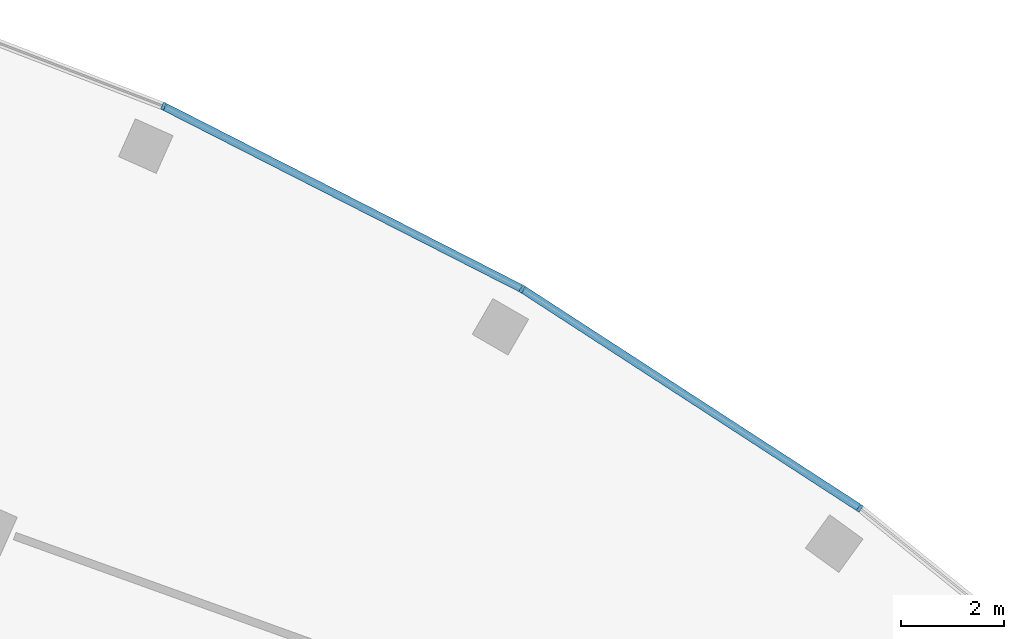
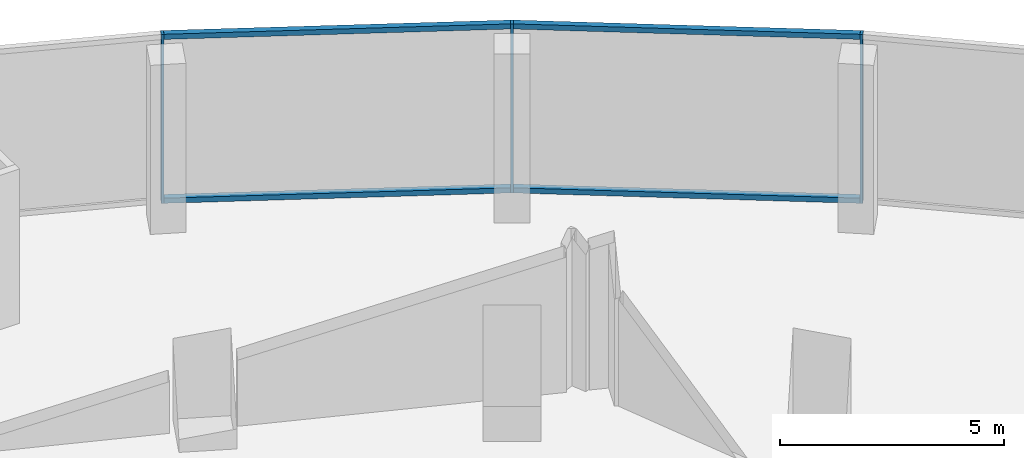
# One storey, part 14 of 39: 7 members, 1 element without a shape of its own.
"""IFC4 building model written with IfcOpenShell, lengths in metres."""

from ifc_helpers import new_model, si_unit, direction, frame, origin, origin_2d, place, context, subcontext, project, spatial, rectangle, extrude, material, layer, layer_set, material_profile, profile_set, type_object, element, aggregate, save


model = new_model("IFC4")

# Units and contexts
model_context = context("Model", 3, precision=1e-05, world=origin(), true_north=direction((0.0, 1.0)))
body_context = subcontext(model_context, "Body", "Model", "MODEL_VIEW")
ifc_project = project(units=[si_unit("LENGTHUNIT", "METRE"), si_unit("AREAUNIT", "SQUARE_METRE"), si_unit("VOLUMEUNIT", "CUBIC_METRE"), si_unit("PLANEANGLEUNIT", "RADIAN"), si_unit("MASSUNIT", "GRAM", prefix="KILO")], contexts=[model_context])

# Site, building, storey
site_placement = place(None, origin())
site = spatial("IfcSite", under=ifc_project, at=site_placement, CompositionType="ELEMENT")
building_placement = place(site_placement, origin())
building = spatial("IfcBuilding", under=site, at=building_placement, Name="Stone Belt Terrace Tower", CompositionType="ELEMENT")
storey_placement = place(building_placement, frame((0.0, 0.0, 20.800048828125)))
storey = spatial("IfcBuildingStorey", under=building, at=storey_placement, Name="L04", CompositionType="ELEMENT", Elevation=20.800048828125)

# Curtain wall, members
ifc_material = material(Name="Aluminium 6063-T6 anodised frame", Category="aluminium")
ifc_layer = layer(ifc_material, 0.14990234375)
ifc_layer_set = layer_set([ifc_layer], Name="CW-D podium shopfront")
curtain_wall_type = type_object("IfcCurtainWallType", Name="CW-D podium shopfront", PredefinedType="NOTDEFINED", material=ifc_layer_set)
curtain_wall_placement = place(storey_placement, origin())
curtain_wall = element("IfcCurtainWall", 1, at=curtain_wall_placement, inside=storey, type_object=curtain_wall_type, Name="CW-D convex face L04", PredefinedType="NOTDEFINED")
ifc_material_profile_1 = material_profile(ifc_material, rectangle(XDim=0.14990234375, YDim=0.06005859375, at=origin_2d()), Name="Aluminium 6063-T6 60x150")
ifc_profile_set_1 = profile_set([ifc_material_profile_1], Name="Aluminium 6063-T6 anodised frame")
member_type_1 = type_object("IfcMemberType", Name="CW-D mullion 60 x 150", PredefinedType="MULLION", material=ifc_profile_set_1)
member_1_placement = place(storey_placement, frame((43.834228515625, 60.33251953125, 0.0), z_axis=(0.0, 0.0, 1.0), x_axis=(-0.587785252292, -0.809016994375, 0.0)))
member_1 = element("IfcMember", 2, at=member_1_placement, type_object=member_type_1, Name="CW-D mullion 7", PredefinedType="MULLION", context=body_context, shape_type="SweptSolid", body=[
    extrude(rectangle(XDim=0.14990234375, YDim=0.06005859375, at=origin_2d()), origin(), (0.0, 0.0, 1.0), 4.599853515625),
])
member_2_placement = place(storey_placement, frame((37.28759765625, 64.583984375, 0.0), z_axis=(0.0, 0.0, 1.0), x_axis=(-0.5, -0.866025403784, 0.0)))
member_2 = element("IfcMember", 3, at=member_2_placement, type_object=member_type_1, Name="CW-D mullion 8", PredefinedType="MULLION", context=body_context, shape_type="SweptSolid", body=[
    extrude(rectangle(XDim=0.14990234375, YDim=0.06005859375, at=origin_2d()), origin(), (0.0, 0.0, 1.0), 4.599853515625),
])
member_3_placement = place(storey_placement, frame((30.33251953125, 68.127685546875, 0.0), z_axis=(0.0, 0.0, 1.0), x_axis=(-0.406736643076, -0.913545457643, 0.0)))
member_3 = element("IfcMember", 4, at=member_3_placement, type_object=member_type_1, Name="CW-D mullion 9", PredefinedType="MULLION", context=body_context, shape_type="SweptSolid", body=[
    extrude(rectangle(XDim=0.14990234375, YDim=0.06005859375, at=origin_2d()), origin(), (0.0, 0.0, 1.0), 4.599853515625),
])
ifc_material_profile_2 = material_profile(ifc_material, rectangle(XDim=0.14990234375, YDim=0.139892578125, at=origin_2d()), Name="Aluminium 6063-T6 150x140")
ifc_profile_set_2 = profile_set([ifc_material_profile_2], Name="Aluminium 6063-T6 anodised frame")
member_type_2 = type_object("IfcMemberType", Name="CW-D transom 140 x 150", PredefinedType="USERDEFINED", material=ifc_profile_set_2)
member_4_placement = place(storey_placement, frame((43.8056640625, 60.35107421875, 0.070068359375), z_axis=(-0.83867853224, 0.54462677088, 0.0), x_axis=(-0.54462677088, -0.83867853224, 0.0)))
member_4 = element("IfcMember", 5, at=member_4_placement, type_object=member_type_2, Name="CW-D transom 7.1", ObjectType="TRANSOM", PredefinedType="USERDEFINED", context=body_context, shape_type="SweptSolid", body=[
    extrude(rectangle(XDim=0.14990234375, YDim=0.139892578125, at=origin_2d()), origin(), (0.0, 0.0, 1.0), 7.738037109375),
])
member_5_placement = place(storey_placement, frame((43.8056640625, 60.35107421875, 4.530029296875), z_axis=(-0.83867853224, 0.54462677088, 0.0), x_axis=(-0.54462677088, -0.83867853224, 0.0)))
member_5 = element("IfcMember", 6, at=member_5_placement, type_object=member_type_2, Name="CW-D transom 7.2", ObjectType="TRANSOM", PredefinedType="USERDEFINED", context=body_context, shape_type="SweptSolid", body=[
    extrude(rectangle(XDim=0.14990234375, YDim=0.139892578125, at=origin_2d()), origin(), (0.0, 0.0, 1.0), 7.738037109375),
])
member_6_placement = place(storey_placement, frame((37.25732421875, 64.599365234375, 0.070068359375), z_axis=(-0.891013010183, 0.453977770034, 0.0), x_axis=(-0.453977770034, -0.891013010183, 0.0)))
member_6 = element("IfcMember", 7, at=member_6_placement, type_object=member_type_2, Name="CW-D transom 8.1", ObjectType="TRANSOM", PredefinedType="USERDEFINED", context=body_context, shape_type="SweptSolid", body=[
    extrude(rectangle(XDim=0.14990234375, YDim=0.139892578125, at=origin_2d()), origin(), (0.0, 0.0, 1.0), 7.738037109375),
])
member_7_placement = place(storey_placement, frame((37.25732421875, 64.599365234375, 4.530029296875), z_axis=(-0.891013010183, 0.453977770034, 0.0), x_axis=(-0.453977770034, -0.891013010183, 0.0)))
member_7 = element("IfcMember", 8, at=member_7_placement, type_object=member_type_2, Name="CW-D transom 8.2", ObjectType="TRANSOM", PredefinedType="USERDEFINED", context=body_context, shape_type="SweptSolid", body=[
    extrude(rectangle(XDim=0.14990234375, YDim=0.139892578125, at=origin_2d()), origin(), (0.0, 0.0, 1.0), 7.738037109375),
])
aggregate(curtain_wall, [member_1, member_2, member_3, member_4, member_5, member_6, member_7])

save(model, "model.ifc")
